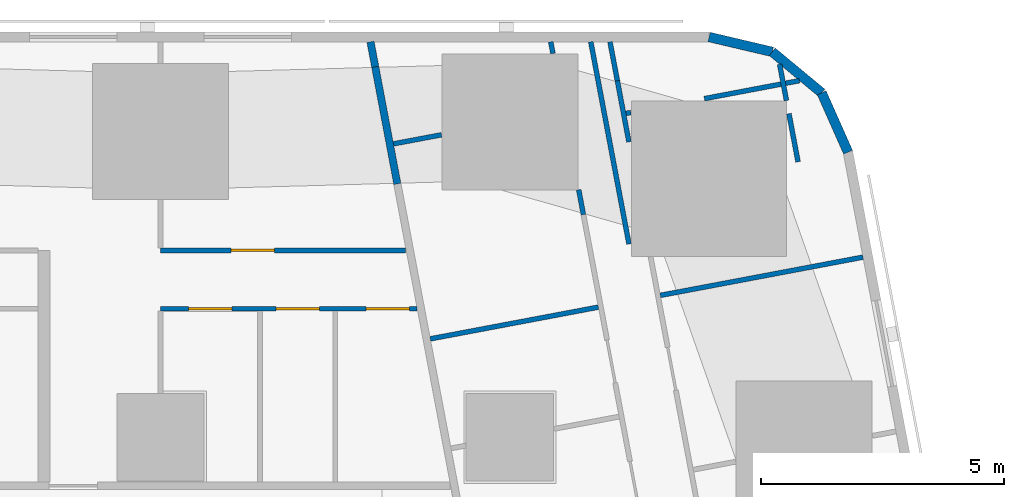
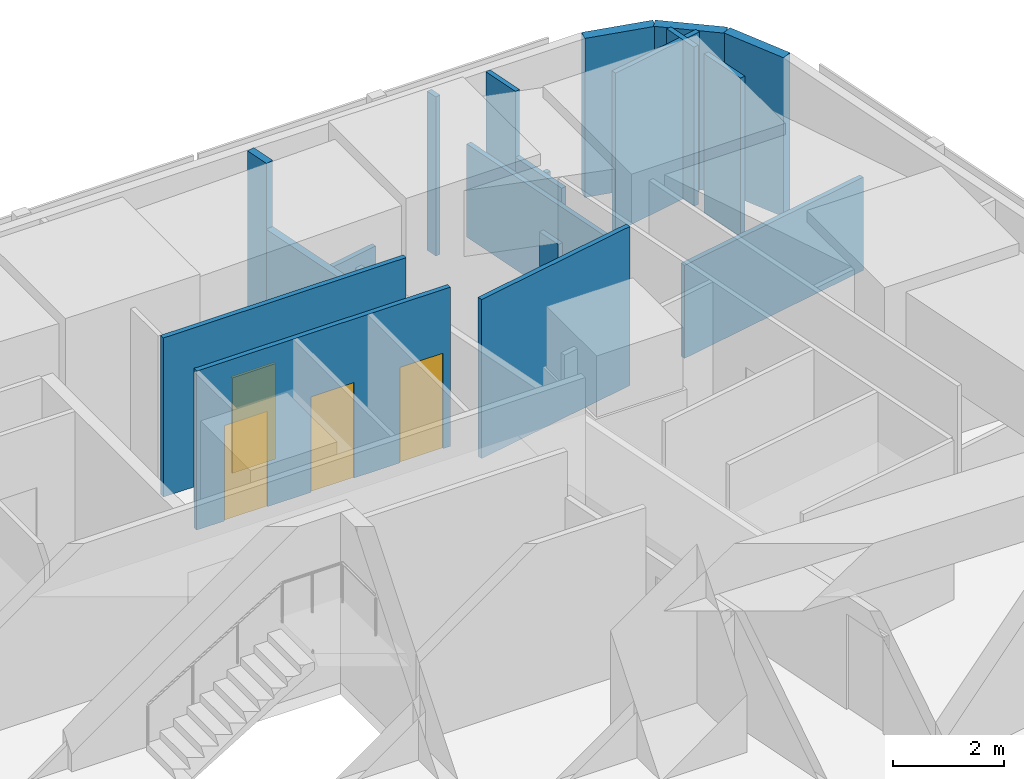
# One storey, part 10 of 15: 19 walls, 4 doors, 4 openings.
"""IFC4 building model written with IfcOpenShell, lengths in metres."""

from ifc_helpers import new_model, si_unit, direction, frame, frame_2d, origin, place, context, subcontext, project, spatial, rectangle, extrude, material, layer, layer_set, type_object, element, fill, save


model = new_model("IFC4")

# Units and contexts
model_context = context("Model", 3, precision=1e-05, world=origin(), true_north=direction((0.0, 1.0)))
body_context = subcontext(model_context, "Body", "Model", "MODEL_VIEW")
ifc_project = project(units=[si_unit("LENGTHUNIT", "METRE"), si_unit("AREAUNIT", "SQUARE_METRE"), si_unit("VOLUMEUNIT", "CUBIC_METRE"), si_unit("PLANEANGLEUNIT", "RADIAN"), si_unit("MASSUNIT", "GRAM", prefix="KILO")], contexts=[model_context])

# Site, building, storey
site_placement = place(None, origin())
site = spatial("IfcSite", under=ifc_project, at=site_placement, CompositionType="ELEMENT")
building_placement = place(site_placement, origin())
building = spatial("IfcBuilding", under=site, at=building_placement, Name="Sheger Commons Tower", CompositionType="ELEMENT")
storey_placement = place(building_placement, frame((0.0, 0.0, 65.0)))
storey = spatial("IfcBuildingStorey", under=building, at=storey_placement, Name="L16", CompositionType="ELEMENT", Elevation=65.0)

# Walls
ifc_material_1 = material(Name="Hollow concrete block masonry, skimmed both sides", Category="masonry")
ifc_layer_1 = layer(ifc_material_1, 0.14990234375)
ifc_layer_set_1 = layer_set([ifc_layer_1], Name="CORRIDOR WALL 150")
wall_type_1 = type_object("IfcWallType", Name="CORRIDOR WALL 150", PredefinedType="SOLIDWALL", material=ifc_layer_set_1)
wall_1_placement = place(storey_placement, frame((33.126953125, 45.64990234375, 0.0), z_axis=(0.0, 0.0, 1.0), x_axis=(0.185441815104, -0.982655246366, 0.0)))
element("IfcWall", 1, at=wall_1_placement, inside=storey, type_object=wall_type_1, Name="Corridor wall L16", PredefinedType="SOLIDWALL", context=body_context, shape_type="SweptSolid", body=[
    extrude(rectangle(XDim=0.52392578125, YDim=0.14990234375, at=frame_2d((0.261962890625, 0.0))), origin(), (0.0, 0.0, 1.0), 3.5),
])
wall_2_placement = place(storey_placement, frame((33.22412109375, 45.135009765625, 0.0), z_axis=(0.0, 0.0, 1.0), x_axis=(0.185681462868, -0.982609990967, 0.0)))
element("IfcWall", 2, at=wall_2_placement, inside=storey, type_object=wall_type_1, Name="Corridor wall L16", PredefinedType="SOLIDWALL", context=body_context, shape_type="SweptSolid", body=[
    extrude(rectangle(XDim=2.454833984375, YDim=0.14990234375, at=frame_2d((1.2275390625, 0.0))), origin(), (0.0, 0.0, 1.0), 2.050048828125),
])
ifc_material_2 = material(Name="Rendered concrete block masonry, dark grey", Category="masonry")
ifc_layer_2 = layer(ifc_material_2, 0.199951171875)
ifc_layer_set_2 = layer_set([ifc_layer_2], Name="FACADE WALL 200")
wall_type_2 = type_object("IfcWallType", Name="FACADE WALL 200", PredefinedType="SOLIDWALL", material=ifc_layer_set_2)
wall_3_placement = place(storey_placement, frame((42.969970703125, 43.376953125, 0.0), z_axis=(0.0, 0.0, 1.0), x_axis=(-0.406002956633, 0.913871762998, 0.0)))
element("IfcWall", 3, at=wall_3_placement, inside=storey, type_object=wall_type_2, Name="Facade wall L16", PredefinedType="SOLIDWALL", context=body_context, shape_type="SweptSolid", body=[
    extrude(rectangle(XDim=1.33740234375, YDim=0.199951171875, at=frame_2d((0.668701171875, 0.0))), origin(), (0.0, 0.0, 1.0), 3.5),
])
wall_4_placement = place(storey_placement, frame((42.427001953125, 44.59912109375, 0.0), z_axis=(0.0, 0.0, 1.0), x_axis=(-0.770091412544, 0.637933551655, 0.0)))
element("IfcWall", 4, at=wall_4_placement, inside=storey, type_object=wall_type_2, Name="Facade wall L16", PredefinedType="SOLIDWALL", context=body_context, shape_type="SweptSolid", body=[
    extrude(rectangle(XDim=1.324462890625, YDim=0.199951171875, at=frame_2d((0.662109375, 0.0))), origin(), (0.0, 0.0, 1.0), 3.5),
])
wall_5_placement = place(storey_placement, frame((41.406982421875, 45.444091796875, 0.0), z_axis=(0.0, 0.0, 1.0), x_axis=(-0.973453091607, 0.228886606077, 0.0)))
element("IfcWall", 5, at=wall_5_placement, inside=storey, type_object=wall_type_2, Name="Facade wall L16", PredefinedType="SOLIDWALL", context=body_context, shape_type="SweptSolid", body=[
    extrude(rectangle(XDim=1.33642578125, YDim=0.199951171875, at=frame_2d((0.668212890625, 0.0))), origin(), (0.0, 0.0, 1.0), 3.5),
])
ifc_material_3 = material(Name="Gypsum board on steel studs", Category="steel")
ifc_layer_3 = layer(ifc_material_3, 0.10009765625)
ifc_layer_set_3 = layer_set([ifc_layer_3], Name="PARTITION 100")
wall_type_3 = type_object("IfcWallType", Name="PARTITION 100", PredefinedType="PARTITIONING", material=ifc_layer_set_3)
wall_6_placement = place(storey_placement, frame((38.4541015625, 41.48291015625, 0.0), z_axis=(0.0, 0.0, 1.0), x_axis=(-0.185609245326, 0.982623634994, 0.0)))
element("IfcWall", 6, at=wall_6_placement, inside=storey, type_object=wall_type_3, Name="Partition L16", PredefinedType="PARTITIONING", context=body_context, shape_type="SweptSolid", body=[
    extrude(rectangle(XDim=4.24072265625, YDim=0.10009765625, at=frame_2d((2.120361328125, 0.0))), origin(), (0.0, 0.0, 1.0), 2.050048828125),
])
wall_7_placement = place(storey_placement, frame((41.55908203125, 45.18798828125, 0.0), z_axis=(0.0, 0.0, 1.0), x_axis=(0.185063078849, -0.98272664401, 0.0)))
element("IfcWall", 7, at=wall_7_placement, inside=storey, type_object=wall_type_3, Name="Partition L16", PredefinedType="PARTITIONING", context=body_context, shape_type="SweptSolid", body=[
    extrude(rectangle(XDim=0.76123046875, YDim=0.10009765625, at=frame_2d((0.380615234375, 0.0))), origin(), (0.0, 0.0, 1.0), 3.5),
])
wall_8_placement = place(storey_placement, frame((41.7509765625, 44.169921875, 0.0), z_axis=(0.0, 0.0, 1.0), x_axis=(0.186024046654, -0.98254519187, 0.0)))
element("IfcWall", 8, at=wall_8_placement, inside=storey, type_object=wall_type_3, Name="Partition L16", PredefinedType="PARTITIONING", context=body_context, shape_type="SweptSolid", body=[
    extrude(rectangle(XDim=1.010498046875, YDim=0.10009765625, at=frame_2d((0.50537109375, 0.0))), origin(), (0.0, 0.0, 1.0), 3.5),
])
wall_9_placement = place(storey_placement, frame((38.06298828125, 45.64990234375, 0.0), z_axis=(0.0, 0.0, 1.0), x_axis=(0.186109918919, -0.982528929895, 0.0)))
element("IfcWall", 9, at=wall_9_placement, inside=storey, type_object=wall_type_3, Name="Partition L16", PredefinedType="PARTITIONING", context=body_context, shape_type="SweptSolid", body=[
    extrude(rectangle(XDim=0.817138671875, YDim=0.10009765625, at=frame_2d((0.40869140625, 0.0))), origin(), (0.0, 0.0, 1.0), 3.5),
])
wall_10_placement = place(storey_placement, frame((38.215087890625, 44.846923828125, 0.0), z_axis=(0.0, 0.0, 1.0), x_axis=(0.185449486507, -0.982653798626, 0.0)))
element("IfcWall", 10, at=wall_10_placement, inside=storey, type_object=wall_type_3, Name="Partition L16", PredefinedType="PARTITIONING", context=body_context, shape_type="SweptSolid", body=[
    extrude(rectangle(XDim=1.2822265625, YDim=0.10009765625, at=frame_2d((0.64111328125, 0.0))), origin(), (0.0, 0.0, 1.0), 2.050048828125),
])
wall_11_placement = place(storey_placement, frame((36.842041015625, 45.64990234375, 0.0), z_axis=(0.0, 0.0, 1.0), x_axis=(0.183986661451, -0.982928740249, 0.0)))
element("IfcWall", 11, at=wall_11_placement, inside=storey, type_object=wall_type_3, Name="Partition L16", PredefinedType="PARTITIONING", context=body_context, shape_type="SweptSolid", body=[
    extrude(rectangle(XDim=0.244140625, YDim=0.10009765625, at=frame_2d((0.1220703125, 0.0))), origin(), (0.0, 0.0, 1.0), 3.5),
])
wall_12_placement = place(storey_placement, frame((37.41796875, 42.60205078125, 0.0), z_axis=(0.0, 0.0, 1.0), x_axis=(0.185672001976, -0.982611778721, 0.0)))
element("IfcWall", 12, at=wall_12_placement, inside=storey, type_object=wall_type_3, Name="Partition L16", PredefinedType="PARTITIONING", context=body_context, shape_type="SweptSolid", body=[
    extrude(rectangle(XDim=0.52197265625, YDim=0.10009765625, at=frame_2d((0.260986328125, 0.0))), origin(), (0.0, 0.0, 1.0), 2.050048828125),
])
wall_13_placement = place(storey_placement, frame((41.968017578125, 44.85009765625, 0.0), z_axis=(0.0, 0.0, 1.0), x_axis=(-0.982543651732, -0.186032181195, 0.0)))
element("IfcWall", 13, at=wall_13_placement, inside=storey, type_object=wall_type_3, Name="Partition L16", PredefinedType="PARTITIONING", context=body_context, shape_type="SweptSolid", body=[
    extrude(rectangle(XDim=1.994873046875, YDim=0.10009765625, at=frame_2d((0.99755859375, 0.0))), origin(), (0.0, 0.0, 1.0), 3.5),
])
wall_14_placement = place(storey_placement, frame((38.491943359375, 44.193115234375, 0.0), z_axis=(0.0, 0.0, 1.0), x_axis=(-0.981954528773, -0.189117168504, 0.0)))
element("IfcWall", 14, at=wall_14_placement, inside=storey, type_object=wall_type_3, Name="Partition L16", PredefinedType="PARTITIONING", context=body_context, shape_type="SweptSolid", body=[
    extrude(rectangle(XDim=0.1005859375, YDim=0.10009765625, at=frame_2d((0.05029296875, 0.0))), origin(), (0.0, 0.0, 1.0), 2.050048828125),
])
wall_15_placement = place(storey_placement, frame((43.277099609375, 41.2119140625, 0.0), z_axis=(0.0, 0.0, 1.0), x_axis=(-0.982665405803, -0.185387972203, 0.0)))
element("IfcWall", 15, at=wall_15_placement, inside=storey, type_object=wall_type_3, Name="Partition L16", PredefinedType="PARTITIONING", context=body_context, shape_type="SweptSolid", body=[
    extrude(rectangle(XDim=4.249755859375, YDim=0.10009765625, at=frame_2d((2.125, 0.0))), origin(), (0.0, 0.0, 1.0), 2.050048828125),
])
wall_16_placement = place(storey_placement, frame((34.590087890625, 43.73388671875, 0.0), z_axis=(0.0, 0.0, 1.0), x_axis=(-0.982632457012, -0.185562535081, 0.0)))
element("IfcWall", 16, at=wall_16_placement, inside=storey, type_object=wall_type_3, Name="Partition L16", PredefinedType="PARTITIONING", context=body_context, shape_type="SweptSolid", body=[
    extrude(rectangle(XDim=1.006591796875, YDim=0.10009765625, at=frame_2d((0.50341796875, 0.0))), origin(), (0.0, 0.0, 1.0), 2.050048828125),
])
wall_17_placement = place(storey_placement, frame((37.823974609375, 40.181884765625, 0.0), z_axis=(0.0, 0.0, 1.0), x_axis=(-0.982648794755, -0.185475998897, 0.0)))
element("IfcWall", 17, at=wall_17_placement, inside=storey, type_object=wall_type_3, Name="Partition L16", PredefinedType="PARTITIONING", context=body_context, shape_type="SweptSolid", body=[
    extrude(rectangle(XDim=3.525146484375, YDim=0.10009765625, at=frame_2d((1.7626953125, 0.0))), origin(), (0.0, 0.0, 1.0), 3.5),
])

# Wall, opening, door
wall_18_placement = place(storey_placement, frame((28.800048828125, 41.35009765625, 0.0), z_axis=(0.0, 0.0, 1.0), x_axis=(1.0, 0.0, 0.0)))
wall_18 = element("IfcWall", 18, at=wall_18_placement, inside=storey, type_object=wall_type_3, Name="Partition L16", PredefinedType="PARTITIONING", context=body_context, shape_type="SweptSolid", body=[
    extrude(rectangle(XDim=5.052978515625, YDim=0.10009765625, at=frame_2d((2.5263671875, 0.0))), origin(), (0.0, 0.0, 1.0), 3.5),
])
opening_1_placement = place(wall_18_placement, frame((1.449951171875, 0.0, 0.0)))
opening_1 = element("IfcOpeningElement", 19, at=opening_1_placement, cuts=wall_18, Name="Opening D2", PredefinedType="OPENING", context=body_context, shape_type="SweptSolid", body=[
    extrude(rectangle(XDim=0.89990234375, YDim=2.10009765625, at=frame_2d((0.449951171875, 1.050048828125))), frame((0.0, 0.06005859375, 0.0), z_axis=(0.0, -1.0, 0.0), x_axis=(1.0, 0.0, 0.0)), (0.0, 0.0, 1.0), 0.1201171875),
])
ifc_material_4 = material(Name="Timber door set", Category="wood")
door_type = type_object("IfcDoorType", Name="INTERNAL DOOR 900x2100", OperationType="NOTDEFINED", PredefinedType="DOOR", material=ifc_material_4)
door_1_placement = place(opening_1_placement, origin())
door_1 = element("IfcDoor", 20, at=door_1_placement, inside=storey, type_object=door_type, Name="Main bedroom door", OperationType="SINGLE_SWING_RIGHT", OverallHeight=2.10009765625, OverallWidth=0.89990234375, PredefinedType="DOOR", context=body_context, shape_type="SweptSolid", body=[
    extrude(rectangle(XDim=0.89990234375, YDim=2.10009765625, at=frame_2d((0.449951171875, 1.050048828125))), frame((0.0, 0.02490234375, 0.0), z_axis=(0.0, -1.0, 0.0), x_axis=(1.0, 0.0, 0.0)), (0.0, 0.0, 1.0), 0.050048828125),
])
fill(opening_1, door_1)

# Wall, openings, doors
wall_19_placement = place(storey_placement, frame((28.800048828125, 40.14990234375, 0.0), z_axis=(0.0, 0.0, 1.0), x_axis=(1.0, 0.0, 0.0)))
wall_19 = element("IfcWall", 21, at=wall_19_placement, inside=storey, type_object=wall_type_3, Name="Partition L16", PredefinedType="PARTITIONING", context=body_context, shape_type="SweptSolid", body=[
    extrude(rectangle(XDim=5.280029296875, YDim=0.10009765625, at=frame_2d((2.64013671875, 0.0))), origin(), (0.0, 0.0, 1.0), 3.5),
])
opening_2_placement = place(wall_19_placement, frame((0.574951171875, 0.0, 0.0)))
opening_2 = element("IfcOpeningElement", 22, at=opening_2_placement, cuts=wall_19, Name="Opening D2", PredefinedType="OPENING", context=body_context, shape_type="SweptSolid", body=[
    extrude(rectangle(XDim=0.89990234375, YDim=2.10009765625, at=frame_2d((0.449951171875, 1.050048828125))), frame((0.0, 0.06005859375, 0.0), z_axis=(0.0, -1.0, 0.0), x_axis=(1.0, 0.0, 0.0)), (0.0, 0.0, 1.0), 0.1201171875),
])
opening_3_placement = place(wall_19_placement, frame((4.22998046875, 0.0, 0.0)))
opening_3 = element("IfcOpeningElement", 23, at=opening_3_placement, cuts=wall_19, Name="Opening D2", PredefinedType="OPENING", context=body_context, shape_type="SweptSolid", body=[
    extrude(rectangle(XDim=0.89990234375, YDim=2.10009765625, at=frame_2d((0.449951171875, 1.050048828125))), frame((0.0, 0.06005859375, 0.0), z_axis=(0.0, -1.0, 0.0), x_axis=(1.0, 0.0, 0.0)), (0.0, 0.0, 1.0), 0.1201171875),
])
opening_4_placement = place(wall_19_placement, frame((2.375, 0.0, 0.0)))
opening_4 = element("IfcOpeningElement", 24, at=opening_4_placement, cuts=wall_19, Name="Opening D2", PredefinedType="OPENING", context=body_context, shape_type="SweptSolid", body=[
    extrude(rectangle(XDim=0.89990234375, YDim=2.10009765625, at=frame_2d((0.449951171875, 1.050048828125))), frame((0.0, 0.06005859375, 0.0), z_axis=(0.0, -1.0, 0.0), x_axis=(1.0, 0.0, 0.0)), (0.0, 0.0, 1.0), 0.1201171875),
])
door_2_placement = place(opening_2_placement, origin())
door_2 = element("IfcDoor", 25, at=door_2_placement, inside=storey, type_object=door_type, Name="Bathroom door", OperationType="SINGLE_SWING_RIGHT", OverallHeight=2.10009765625, OverallWidth=0.89990234375, PredefinedType="DOOR", context=body_context, shape_type="SweptSolid", body=[
    extrude(rectangle(XDim=0.89990234375, YDim=2.10009765625, at=frame_2d((0.449951171875, 1.050048828125))), frame((0.0, 0.02490234375, 0.0), z_axis=(0.0, -1.0, 0.0), x_axis=(1.0, 0.0, 0.0)), (0.0, 0.0, 1.0), 0.050048828125),
])
fill(opening_2, door_2)
door_3_placement = place(opening_3_placement, origin())
door_3 = element("IfcDoor", 26, at=door_3_placement, inside=storey, type_object=door_type, Name="Laundry room door", OperationType="SINGLE_SWING_LEFT", OverallHeight=2.10009765625, OverallWidth=0.89990234375, PredefinedType="DOOR", context=body_context, shape_type="SweptSolid", body=[
    extrude(rectangle(XDim=0.89990234375, YDim=2.10009765625, at=frame_2d((0.449951171875, 1.050048828125))), frame((0.0, 0.02490234375, 0.0), z_axis=(0.0, -1.0, 0.0), x_axis=(1.0, 0.0, 0.0)), (0.0, 0.0, 1.0), 0.050048828125),
])
fill(opening_3, door_3)
door_4_placement = place(opening_4_placement, origin())
door_4 = element("IfcDoor", 27, at=door_4_placement, inside=storey, type_object=door_type, Name="Store door", OperationType="SINGLE_SWING_RIGHT", OverallHeight=2.10009765625, OverallWidth=0.89990234375, PredefinedType="DOOR", context=body_context, shape_type="SweptSolid", body=[
    extrude(rectangle(XDim=0.89990234375, YDim=2.10009765625, at=frame_2d((0.449951171875, 1.050048828125))), frame((0.0, 0.02490234375, 0.0), z_axis=(0.0, -1.0, 0.0), x_axis=(1.0, 0.0, 0.0)), (0.0, 0.0, 1.0), 0.050048828125),
])
fill(opening_4, door_4)

save(model, "model.ifc")
